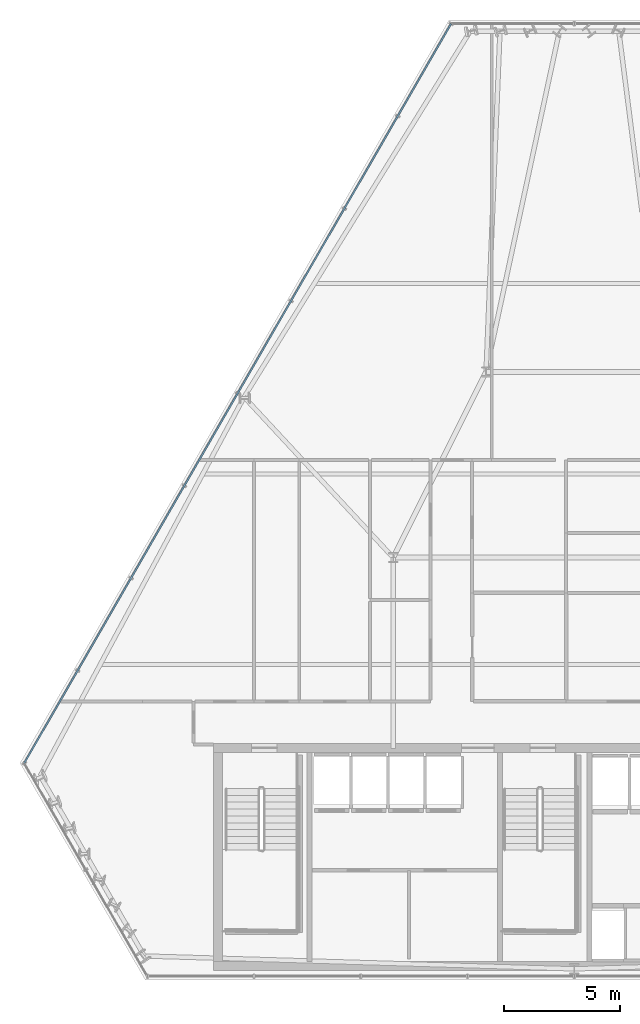
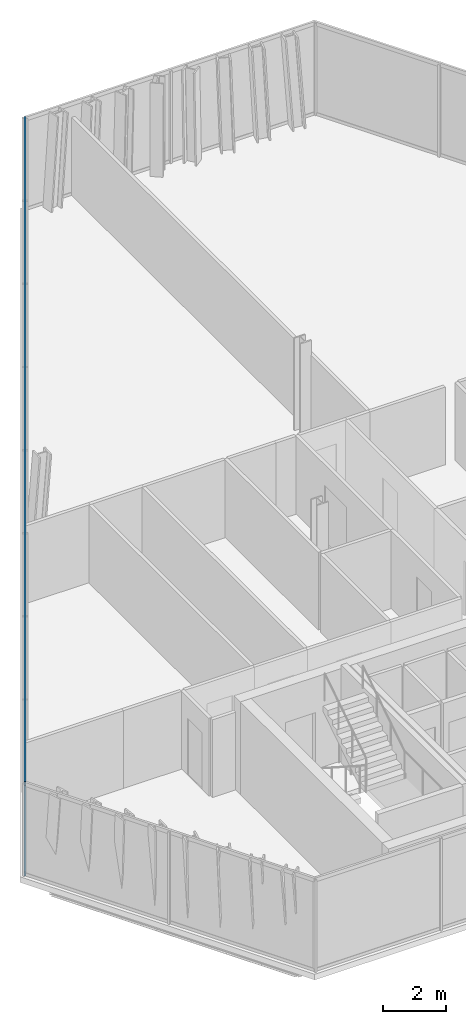
# One storey, part 12 of 33: 2 members, 1 element without a shape of its own.
"""IFC4 building model written with IfcOpenShell, lengths in metres."""

import ifcopenshell
import ifcopenshell.guid

model = None  # the IFC model being written
_history = None  # IfcOwnerHistory: only IFC2X3 demands one
_inside = {}  # id of a spatial element -> (the spatial element, [elements in it])
_under = {}  # id of a project, library or spatial element -> (it, [spatial elements below it])
_declared = {}  # id of a project -> (the project, [libraries it declares])
_typed = {}  # id of a type object -> (the type object, [elements of that type])
_made_of = {}  # id of a material, layer set ... -> (it, [elements and type objects made of it])


def new_model(schema):
    """Start an empty IFC model of exactly this schema.

    Asked for "IFC4X3", IfcOpenShell would pick the latest addendum, in which some entities
    have other attributes; the version numbers below select the first issue.
    IFC2X3 requires an IfcOwnerHistory on every rooted entity: one is made here for all.
    """
    global model, _history
    if schema == "IFC4X3":
        model = ifcopenshell.file(schema_version=(4, 3, 0, 0))
    else:
        model = ifcopenshell.file(schema=schema)
    _inside.clear()
    _under.clear()
    _declared.clear()
    _typed.clear()
    _made_of.clear()
    _history = None
    if model.schema == "IFC2X3":
        org = make("IfcOrganization", Name="unknown")
        user = make(
            "IfcPersonAndOrganization",
            ThePerson=make("IfcPerson", FamilyName="unknown"),
            TheOrganization=org,
        )
        app = make(
            "IfcApplication",
            ApplicationDeveloper=org,
            Version="unknown",
            ApplicationFullName="unknown",
            ApplicationIdentifier="unknown",
        )
        _history = make(
            "IfcOwnerHistory",
            OwningUser=user,
            OwningApplication=app,
            ChangeAction="ADDED",
            CreationDate=0,
        )
    return model


def make(cls, **values):
    """One entity of the class cls with the attributes given. An attribute that is None is left unset."""
    return model.create_entity(
        cls, **{name: value for name, value in values.items() if value is not None}
    )


def rooted(cls, **values):
    """An entity with a GlobalId (a new one), such as an element, a storey or a relation."""
    return make(cls, GlobalId=ifcopenshell.guid.new(), OwnerHistory=_history, **values)


def si_unit(unit_type, name, prefix=None):
    """IfcSIUnit, for example si_unit("LENGTHUNIT", "METRE", prefix="MILLI")."""
    return make("IfcSIUnit", UnitType=unit_type, Prefix=prefix, Name=name)


def assignment(units):
    """IfcUnitAssignment: the units of a project."""
    return None if units is None else make("IfcUnitAssignment", Units=units)


def point(xyz):
    """IfcCartesianPoint."""
    return None if xyz is None else make("IfcCartesianPoint", Coordinates=xyz)


def direction(xyz):
    """IfcDirection."""
    return None if xyz is None else make("IfcDirection", DirectionRatios=xyz)


def frame(location, z_axis=None, x_axis=None):
    """IfcAxis2Placement3D, a coordinate frame: its origin and axes. An axis left out is left unset."""
    return make(
        "IfcAxis2Placement3D",
        Location=point(location),
        Axis=direction(z_axis),
        RefDirection=direction(x_axis),
    )


def frame_2d(location, x_axis=None):
    """IfcAxis2Placement2D, a coordinate frame in the plane: its origin and x axis."""
    return make(
        "IfcAxis2Placement2D", Location=point(location), RefDirection=direction(x_axis)
    )


def origin():
    """The frame at (0, 0, 0) with its axes left unset."""
    return frame((0.0, 0.0, 0.0))


def origin_2d():
    """The frame at (0, 0) in the plane with its x axis left unset."""
    return frame_2d((0.0, 0.0))


def place(relative_to, where):
    """IfcLocalPlacement: puts the frame where relative to a parent placement (None: the world)."""
    return make(
        "IfcLocalPlacement", PlacementRelTo=relative_to, RelativePlacement=where
    )


def context(
    kind, dimensions, precision=None, world=None, true_north=None, identifier=None
):
    """IfcGeometricRepresentationContext, for example the 3D "Model" context."""
    return make(
        "IfcGeometricRepresentationContext",
        ContextIdentifier=identifier,
        ContextType=kind,
        CoordinateSpaceDimension=dimensions,
        Precision=precision,
        WorldCoordinateSystem=world,
        TrueNorth=true_north,
    )


def subcontext(parent, identifier, kind, view, scale=None):
    """IfcGeometricRepresentationSubContext, for example "Body" below "Model"."""
    return make(
        "IfcGeometricRepresentationSubContext",
        ContextIdentifier=identifier,
        ContextType=kind,
        ParentContext=parent,
        TargetScale=scale,
        TargetView=view,
    )


def project(units=None, contexts=None):
    """IfcProject with its units and contexts."""
    return rooted(
        "IfcProject",
        Name="project",
        RepresentationContexts=contexts,
        UnitsInContext=assignment(units),
    )


def spatial(cls, under=None, at=None, **own):
    """A site, building, storey or space (cls), placed at a placement, below another one or the project."""
    s = rooted(cls, ObjectPlacement=at, **own)
    if under is not None:
        _under.setdefault(under.id(), (under, []))[1].append(s)
    return s


def profile(cls, at=None, kind="AREA", **sizes):
    """A parametric profile (cls). Its sizes go by their IFC names, for example OverallWidth=200.0."""
    return make(cls, ProfileType=kind, Position=at, **sizes)


def hollow_rectangle(**sizes):
    """IfcRectangleHollowProfileDef."""
    return profile("IfcRectangleHollowProfileDef", **sizes)


def extrude(swept, where, along, depth):
    """IfcExtrudedAreaSolid: the profile swept, set in the frame where, extruded along a direction by depth."""
    return make(
        "IfcExtrudedAreaSolid",
        SweptArea=swept,
        Position=where,
        ExtrudedDirection=direction(along),
        Depth=depth,
    )


def shape(context_of_items, identifier, shape_type, items):
    """IfcShapeRepresentation: the items that make up one representation, for example the "Body"."""
    return make(
        "IfcShapeRepresentation",
        ContextOfItems=context_of_items,
        RepresentationIdentifier=identifier,
        RepresentationType=shape_type,
        Items=items,
    )


def material(Name=None, Category=None):
    """IfcMaterial."""
    return make("IfcMaterial", Name=Name, Category=Category)


def layer(
    of_material, thickness, ventilated=None, Name=None, Category=None, Priority=None
):
    """IfcMaterialLayer: one layer of a wall or slab, of a material (None: an air gap)."""
    return make(
        "IfcMaterialLayer",
        Material=of_material,
        LayerThickness=thickness,
        IsVentilated=ventilated,
        Name=Name,
        Category=Category,
        Priority=Priority,
    )


def layer_set(layers, Name=None):
    """IfcMaterialLayerSet."""
    return make("IfcMaterialLayerSet", MaterialLayers=layers, LayerSetName=Name)


def material_profile(
    of_material, cross_section, Name=None, Category=None, Priority=None
):
    """IfcMaterialProfile: a cross section and its material."""
    return make(
        "IfcMaterialProfile",
        Name=Name,
        Material=of_material,
        Profile=cross_section,
        Priority=Priority,
        Category=Category,
    )


def profile_set(profiles, Name=None, composite=None):
    """IfcMaterialProfileSet."""
    return make(
        "IfcMaterialProfileSet",
        Name=Name,
        MaterialProfiles=profiles,
        CompositeProfile=composite,
    )


def made_of(thing, what):
    """Note that an element or type object is made of a material, layer set ...; save() writes the relation."""
    if what is not None:
        _made_of.setdefault(what.id(), (what, []))[1].append(thing)
    return thing


def type_object(cls, material=None, **own):
    """A type object (cls), such as IfcWallType, which elements share."""
    return made_of(rooted(cls, **own), material)


def element(
    cls,
    number,
    at=None,
    inside=None,
    cuts=None,
    type_object=None,
    material=None,
    context=None,
    identifier="Body",
    shape_type=None,
    held_by="IfcProductDefinitionShape",
    body=None,
    shapes=None,
    **own,
):
    """One element of the class cls, such as IfcWall. Its Tag is "e" and its number.

    at: its placement. inside: the storey or other place that contains it. cuts: it is an
    opening in that element (IfcRelVoidsElement). A single representation is given by context,
    identifier, shape_type and body (its items); several are given by shapes. held_by: the class
    of the entity that holds the representations. save() writes the other relations.
    """
    e = rooted(cls, Tag="e%d" % number, ObjectPlacement=at, **own)
    if body is not None:
        shapes = [shape(context, identifier, shape_type, body)]
    if shapes is not None:
        e.Representation = make(held_by, Representations=shapes)
    if inside is not None:
        _inside.setdefault(inside.id(), (inside, []))[1].append(e)
    if cuts is not None:
        rooted(
            "IfcRelVoidsElement", RelatingBuildingElement=cuts, RelatedOpeningElement=e
        )
    if type_object is not None:
        _typed.setdefault(type_object.id(), (type_object, []))[1].append(e)
    return made_of(e, material)


def aggregate(whole, parts):
    """IfcRelAggregates: a whole, such as a stair, and the parts it consists of."""
    return rooted("IfcRelAggregates", RelatingObject=whole, RelatedObjects=parts)


def save(model, path):
    """Write the relations noted so far, then the file.

    IfcRelAggregates (storeys below a building ...), IfcRelContainedInSpatialStructure (elements
    in a storey), IfcRelDefinesByType, IfcRelAssociatesMaterial and IfcRelDeclares: one each for
    every whole, place, type object, material and project.
    """
    for whole, parts in _under.values():
        aggregate(whole, parts)
    for where, things in _inside.values():
        rooted(
            "IfcRelContainedInSpatialStructure",
            RelatedElements=things,
            RelatingStructure=where,
        )
    for kind, things in _typed.values():
        rooted("IfcRelDefinesByType", RelatedObjects=things, RelatingType=kind)
    for what, things in _made_of.values():
        rooted("IfcRelAssociatesMaterial", RelatedObjects=things, RelatingMaterial=what)
    for by, libraries in _declared.values():
        rooted("IfcRelDeclares", RelatingContext=by, RelatedDefinitions=libraries)
    model.write(path)


model = new_model("IFC4")

# Units and contexts
model_context = context("Model", 3, precision=1e-05, world=origin(), true_north=direction((0.0, 1.0)))
body_context = subcontext(model_context, "Body", "Model", "MODEL_VIEW")
ifc_project = project(units=[si_unit("LENGTHUNIT", "METRE"), si_unit("AREAUNIT", "SQUARE_METRE"), si_unit("VOLUMEUNIT", "CUBIC_METRE"), si_unit("PLANEANGLEUNIT", "RADIAN"), si_unit("MASSUNIT", "GRAM", prefix="KILO")], contexts=[model_context])

# Site, building, storey
site_placement = place(None, origin())
site = spatial("IfcSite", under=ifc_project, at=site_placement, CompositionType="ELEMENT")
building_placement = place(site_placement, origin())
building = spatial("IfcBuilding", under=site, at=building_placement, Name="Ndaravel Arena Tower", CompositionType="ELEMENT")
storey_placement = place(building_placement, frame((0.0, 0.0, 168.800048828125)))
storey = spatial("IfcBuildingStorey", under=building, at=storey_placement, Name="L40", CompositionType="ELEMENT", Elevation=168.800048828125)

# Curtain wall, members
ifc_material_1 = material(Name="Aluminium", Category="aluminium")
ifc_layer = layer(ifc_material_1, 0.179931640625)
ifc_layer_set = layer_set([ifc_layer], Name="Aluminium")
curtain_wall_type = type_object("IfcCurtainWallType", Name="CW-SYS-03", PredefinedType="NOTDEFINED", material=ifc_layer_set)
curtain_wall_placement = place(storey_placement, origin())
curtain_wall = element("IfcCurtainWall", 1, at=curtain_wall_placement, inside=storey, type_object=curtain_wall_type, Name="L40 Faceted Crystal Curtain Wall CW-L40-E05", PredefinedType="NOTDEFINED")
ifc_material_2 = material(Name="Aluminium", Category="aluminium")
ifc_material_profile = material_profile(ifc_material_2, hollow_rectangle(XDim=0.074951171875, YDim=0.14990234375, WallThickness=0.00390625, at=origin_2d()), Name="CW TRANSOM 75x150x4")
ifc_profile_set = profile_set([ifc_material_profile], Name="Aluminium")
member_type = type_object("IfcMemberType", Name="MEM-CW-TRN150", PredefinedType="USERDEFINED", material=ifc_profile_set)
member_1_placement = place(storey_placement, frame((36.695068359375, 46.20166015625, 0.0400390625), z_axis=(-0.499997675288, -0.866026745954, 0.0), x_axis=(0.866026745954, -0.499997675288, 0.0)))
member_1 = element("IfcMember", 2, at=member_1_placement, type_object=member_type, Name="CW-L40-E05 Transom 01", ObjectType="TRANSOM", PredefinedType="USERDEFINED", context=body_context, shape_type="SweptSolid", body=[
    extrude(hollow_rectangle(XDim=0.074951171875, YDim=0.14990234375, WallThickness=0.00390625, at=origin_2d()), origin(), (0.0, 0.0, 1.0), 36.781005859375),
])
member_2_placement = place(storey_placement, frame((36.695068359375, 46.20166015625, 3.5400390625), z_axis=(-0.499997675288, -0.866026745954, 0.0), x_axis=(0.866026745954, -0.499997675288, 0.0)))
member_2 = element("IfcMember", 3, at=member_2_placement, type_object=member_type, Name="CW-L40-E05 Transom 02", ObjectType="TRANSOM", PredefinedType="USERDEFINED", context=body_context, shape_type="SweptSolid", body=[
    extrude(hollow_rectangle(XDim=0.074951171875, YDim=0.14990234375, WallThickness=0.00390625, at=origin_2d()), origin(), (0.0, 0.0, 1.0), 36.781005859375),
])
aggregate(curtain_wall, [member_1, member_2])

save(model, "model.ifc")
